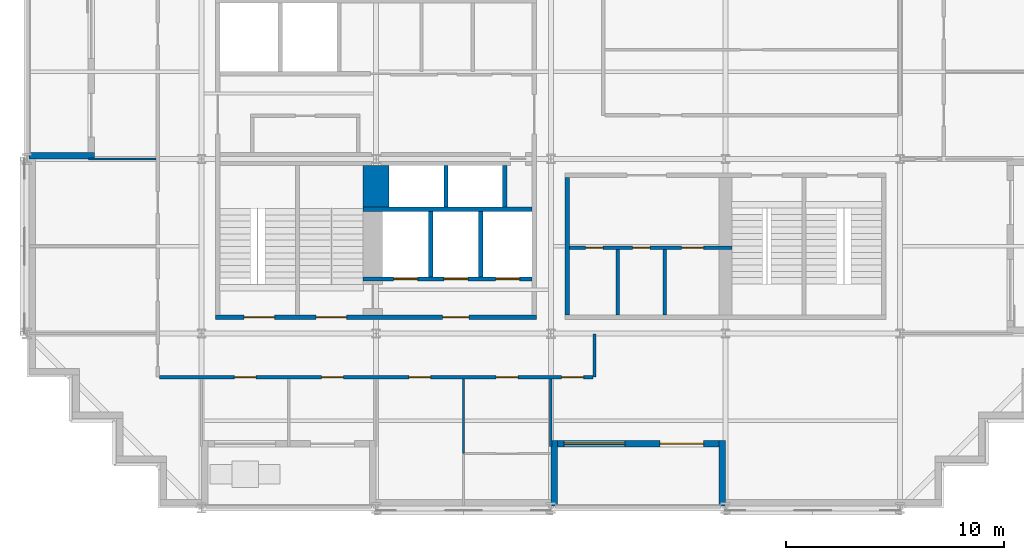
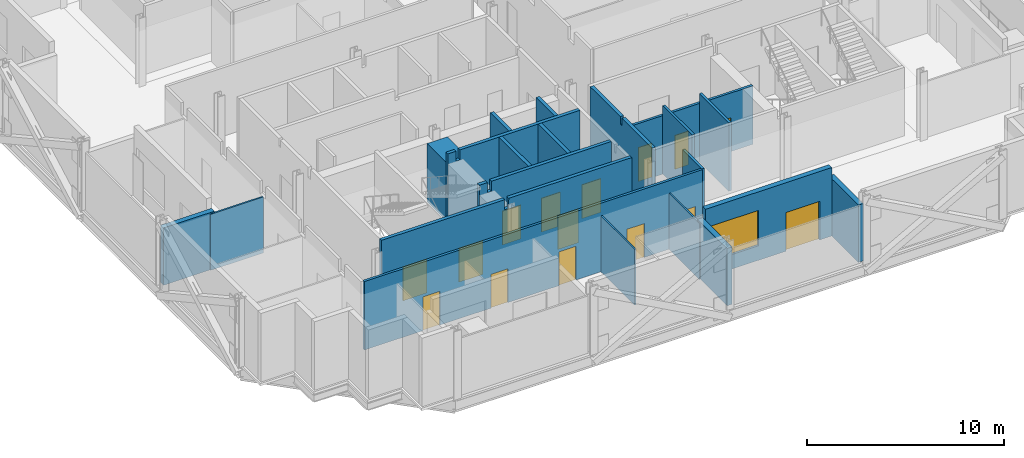
# One storey, part 6 of 15: 21 walls, 15 doors, 1 window, 16 openings.
"""IFC4 building model written with IfcOpenShell, lengths in metres."""

from ifc_helpers import new_model, si_unit, direction, frame, frame_2d, origin, place, context, subcontext, project, spatial, polyline, rectangle, outline, extrude, material, layer, layer_set, type_object, element, fill, save


model = new_model("IFC4")

# Units and contexts
model_context = context("Model", 3, precision=1e-05, world=origin(), true_north=direction((0.0, 1.0)))
body_context = subcontext(model_context, "Body", "Model", "MODEL_VIEW")
ifc_project = project(units=[si_unit("LENGTHUNIT", "METRE"), si_unit("AREAUNIT", "SQUARE_METRE"), si_unit("VOLUMEUNIT", "CUBIC_METRE"), si_unit("PLANEANGLEUNIT", "RADIAN"), si_unit("MASSUNIT", "GRAM", prefix="KILO")], contexts=[model_context])

# Site, building, storey
site_placement = place(None, origin())
site = spatial("IfcSite", under=ifc_project, at=site_placement, CompositionType="ELEMENT")
building_placement = place(site_placement, origin())
building = spatial("IfcBuilding", under=site, at=building_placement, Name="Immortelle Media Tower", CompositionType="ELEMENT")
storey_placement = place(building_placement, frame((0.0, 0.0, 65.60009765625)))
storey = spatial("IfcBuildingStorey", under=building, at=storey_placement, Name="L11", CompositionType="ELEMENT", Elevation=65.60009765625)

# Wall, openings, doors
ifc_material_1 = material(Name="Fire-rated gypsum board", Category="gypsum")
ifc_layer_1 = layer(ifc_material_1, 0.02490234375)
ifc_material_2 = material(Name="Steel ASTM A653 SS Gr 50 stud frame with mineral wool", Category="steel")
ifc_layer_2 = layer(ifc_material_2, 0.10009765625)
ifc_layer_3 = layer(ifc_material_1, 0.02490234375)
ifc_layer_set_1 = layer_set([ifc_layer_1, ifc_layer_2, ifc_layer_3], Name="Steel ASTM A653 SS Gr 50 stud frame with mineral wool")
wall_type_1 = type_object("IfcWallType", Name="Core partition 150", PredefinedType="PARTITIONING", material=ifc_layer_set_1)
wall_1_placement = place(storey_placement, frame((24.85009765625, 11.925048828125, 0.0), z_axis=(0.0, 0.0, 1.0), x_axis=(1.0, 0.0, 0.0)))
wall_1 = element("IfcWall", 1, at=wall_1_placement, inside=storey, type_object=wall_type_1, Name="Core partition SE", PredefinedType="PARTITIONING", context=body_context, shape_type="SweptSolid", body=[
    extrude(rectangle(XDim=7.449951171875, YDim=0.14990234375, at=frame_2d((3.72509765625, 0.0))), origin(), (0.0, 0.0, 1.0), 3.6318359375),
])
opening_1_placement = place(wall_1_placement, frame((1.550048828125, 0.0, 0.0), z_axis=(0.0, 0.0, 1.0), x_axis=(-1.0, 0.0, 0.0)))
opening_1 = element("IfcOpeningElement", 2, at=opening_1_placement, cuts=wall_1, Name="Opening N3-K040", PredefinedType="OPENING", context=body_context, shape_type="SweptSolid", body=[
    extrude(rectangle(XDim=0.800048828125, YDim=2.10009765625, at=frame_2d((0.39990234375, 1.050048828125))), frame((0.0, 0.0849609375, 0.0), z_axis=(0.0, -1.0, 0.0), x_axis=(1.0, 0.0, 0.0)), (0.0, 0.0, 1.0), 0.169921875),
])
opening_2_placement = place(wall_1_placement, frame((3.699951171875, 0.0, 0.0), z_axis=(0.0, 0.0, 1.0), x_axis=(-1.0, 0.0, 0.0)))
opening_2 = element("IfcOpeningElement", 3, at=opening_2_placement, cuts=wall_1, Name="Opening N3-K041", PredefinedType="OPENING", context=body_context, shape_type="SweptSolid", body=[
    extrude(rectangle(XDim=0.800048828125, YDim=2.10009765625, at=frame_2d((0.39990234375, 1.050048828125))), frame((0.0, 0.0849609375, 0.0), z_axis=(0.0, -1.0, 0.0), x_axis=(1.0, 0.0, 0.0)), (0.0, 0.0, 1.0), 0.169921875),
])
opening_3_placement = place(wall_1_placement, frame((6.14990234375, 0.0, 0.0), z_axis=(0.0, 0.0, 1.0), x_axis=(-1.0, 0.0, 0.0)))
opening_3 = element("IfcOpeningElement", 4, at=opening_3_placement, cuts=wall_1, Name="Opening N3-K042", PredefinedType="OPENING", context=body_context, shape_type="SweptSolid", body=[
    extrude(rectangle(XDim=1.0, YDim=2.10009765625, at=frame_2d((0.5, 1.050048828125))), frame((0.0, 0.0849609375, 0.0), z_axis=(0.0, -1.0, 0.0), x_axis=(1.0, 0.0, 0.0)), (0.0, 0.0, 1.0), 0.169921875),
])
ifc_material_3 = material(Name="Timber", Category="wood")
door_type_1 = type_object("IfcDoorType", Name="Accessible toilet door 1000 x 2100", OperationType="NOTDEFINED", PredefinedType="NOTDEFINED", material=ifc_material_3)
door_1_placement = place(opening_3_placement, origin())
door_1 = element("IfcDoor", 5, at=door_1_placement, inside=storey, type_object=door_type_1, Name="Accessible toilet N3-K042", OperationType="SINGLE_SWING_LEFT", OverallHeight=2.10009765625, OverallWidth=1.0, PredefinedType="NOTDEFINED", context=body_context, shape_type="SweptSolid", body=[
    extrude(rectangle(XDim=1.0, YDim=2.10009765625, at=frame_2d((0.5, 1.050048828125))), frame((0.0, 0.02490234375, 0.0), z_axis=(0.0, -1.0, 0.0), x_axis=(1.0, 0.0, 0.0)), (0.0, 0.0, 1.0), 0.050048828125),
])
fill(opening_3, door_1)
door_type_2 = type_object("IfcDoorType", Name="Toilet door 800 x 2100", OperationType="NOTDEFINED", PredefinedType="NOTDEFINED", material=ifc_material_3)
door_2_placement = place(opening_1_placement, origin())
door_2 = element("IfcDoor", 6, at=door_2_placement, inside=storey, type_object=door_type_2, Name="Toilet N3-K040", OperationType="SINGLE_SWING_RIGHT", OverallHeight=2.10009765625, OverallWidth=0.800048828125, PredefinedType="NOTDEFINED", context=body_context, shape_type="SweptSolid", body=[
    extrude(rectangle(XDim=0.800048828125, YDim=2.10009765625, at=frame_2d((0.39990234375, 1.050048828125))), frame((0.0, 0.02490234375, 0.0), z_axis=(0.0, -1.0, 0.0), x_axis=(1.0, 0.0, 0.0)), (0.0, 0.0, 1.0), 0.050048828125),
])
fill(opening_1, door_2)
door_3_placement = place(opening_2_placement, origin())
door_3 = element("IfcDoor", 7, at=door_3_placement, inside=storey, type_object=door_type_2, Name="Toilet N3-K041", OperationType="SINGLE_SWING_RIGHT", OverallHeight=2.10009765625, OverallWidth=0.800048828125, PredefinedType="NOTDEFINED", context=body_context, shape_type="SweptSolid", body=[
    extrude(rectangle(XDim=0.800048828125, YDim=2.10009765625, at=frame_2d((0.39990234375, 1.050048828125))), frame((0.0, 0.02490234375, 0.0), z_axis=(0.0, -1.0, 0.0), x_axis=(1.0, 0.0, 0.0)), (0.0, 0.0, 1.0), 0.050048828125),
])
fill(opening_2, door_3)

# Walls
for number, where, z_axis, x_axis, name in (
    (8, (27.074951171875, 8.85009765625, 0.0), (0.0, 0.0, 1.0), (0.0, 1.0, 0.0), "Core partition SE"),
    (9, (29.22509765625, 8.85009765625, 0.0), (0.0, 0.0, 1.0), (0.0, 1.0, 0.0), "Core partition SE"),
):
    element("IfcWall", number, at=place(storey_placement, frame(where, z_axis=z_axis, x_axis=x_axis)), inside=storey, type_object=wall_type_1, Name=name, PredefinedType="PARTITIONING", context=body_context, shape_type="SweptSolid", body=[
        extrude(rectangle(XDim=3.0, YDim=0.14990234375, at=frame_2d((1.5, 0.0))), origin(), (0.0, 0.0, 1.0), 4.25),
    ])

# Wall, openings, doors
ifc_layer_4 = layer(ifc_material_1, 0.03759765625)
ifc_layer_5 = layer(ifc_material_2, 0.125)
ifc_layer_6 = layer(ifc_material_1, 0.03759765625)
ifc_layer_set_2 = layer_set([ifc_layer_4, ifc_layer_5, ifc_layer_6], Name="Steel ASTM A653 SS Gr 50 stud frame with mineral wool")
wall_type_2 = type_object("IfcWallType", Name="Core shaft wall 200", PredefinedType="PARTITIONING", material=ifc_layer_set_2)
wall_2_placement = place(storey_placement, frame((15.39990234375, 10.5, 0.0), z_axis=(0.0, 0.0, 1.0), x_axis=(1.0, 0.0, 0.0)))
wall_2 = element("IfcWall", 10, at=wall_2_placement, inside=storey, type_object=wall_type_2, Name="Core shaft wall SW", PredefinedType="PARTITIONING", context=body_context, shape_type="SweptSolid", body=[
    extrude(outline(polyline([(0.0, 0.0), (7.75, 0.0), (7.75, 4.25), (0.719482421875, 4.25), (0.718505859375, 3.6318359375), (0.4814453125, 3.6318359375), (0.48046875, 4.25), (0.0, 4.25), (0.0, 0.0)])), frame((0.0, 0.10009765625, 0.0), z_axis=(0.0, -1.0, 0.0), x_axis=(1.0, 0.0, 0.0)), (0.0, 0.0, 1.0), 0.199951171875),
])
opening_4_placement = place(wall_2_placement, frame((1.39990234375, 0.0, 0.0)))
opening_4 = element("IfcOpeningElement", 11, at=opening_4_placement, cuts=wall_2, Name="Opening LD", PredefinedType="OPENING", context=body_context, shape_type="SweptSolid", body=[
    extrude(rectangle(XDim=1.10009765625, YDim=2.10009765625, at=frame_2d((0.550048828125, 1.050048828125))), frame((0.0, 0.10986328125, 0.0), z_axis=(0.0, -1.0, 0.0), x_axis=(1.0, 0.0, 0.0)), (0.0, 0.0, 1.0), 0.219970703125),
])
opening_5_placement = place(wall_2_placement, frame((3.699951171875, 0.0, 0.0)))
opening_5 = element("IfcOpeningElement", 12, at=opening_5_placement, cuts=wall_2, Name="Opening LD", PredefinedType="OPENING", context=body_context, shape_type="SweptSolid", body=[
    extrude(rectangle(XDim=1.10009765625, YDim=2.10009765625, at=frame_2d((0.550048828125, 1.050048828125))), frame((0.0, 0.10986328125, 0.0), z_axis=(0.0, -1.0, 0.0), x_axis=(1.0, 0.0, 0.0)), (0.0, 0.0, 1.0), 0.219970703125),
])
opening_6_placement = place(wall_2_placement, frame((6.074951171875, 0.0, 0.0)))
opening_6 = element("IfcOpeningElement", 13, at=opening_6_placement, cuts=wall_2, Name="Opening LD", PredefinedType="OPENING", context=body_context, shape_type="SweptSolid", body=[
    extrude(rectangle(XDim=1.10009765625, YDim=2.10009765625, at=frame_2d((0.550048828125, 1.050048828125))), frame((0.0, 0.10986328125, 0.0), z_axis=(0.0, -1.0, 0.0), x_axis=(1.0, 0.0, 0.0)), (0.0, 0.0, 1.0), 0.219970703125),
])
ifc_material_4 = material(Name="Stainless steel AISI 304", Category="steel")
door_type_3 = type_object("IfcDoorType", Name="Landing door 1100 x 2100", OperationType="SLIDING_TO_LEFT", PredefinedType="NOTDEFINED", material=ifc_material_4)
door_4_placement = place(opening_4_placement, origin())
door_4 = element("IfcDoor", 14, at=door_4_placement, inside=storey, type_object=door_type_3, Name="Landing door FF1 L11", OperationType="SLIDING_TO_LEFT", OverallHeight=2.10009765625, OverallWidth=1.10009765625, PredefinedType="NOTDEFINED", context=body_context, shape_type="SweptSolid", body=[
    extrude(rectangle(XDim=1.10009765625, YDim=2.10009765625, at=frame_2d((0.550048828125, 1.050048828125))), frame((0.0, 0.02490234375, 0.0), z_axis=(0.0, -1.0, 0.0), x_axis=(1.0, 0.0, 0.0)), (0.0, 0.0, 1.0), 0.050048828125),
])
fill(opening_4, door_4)
door_5_placement = place(opening_5_placement, origin())
door_5 = element("IfcDoor", 15, at=door_5_placement, inside=storey, type_object=door_type_3, Name="Landing door FF2 L11", OperationType="SLIDING_TO_LEFT", OverallHeight=2.10009765625, OverallWidth=1.10009765625, PredefinedType="NOTDEFINED", context=body_context, shape_type="SweptSolid", body=[
    extrude(rectangle(XDim=1.10009765625, YDim=2.10009765625, at=frame_2d((0.550048828125, 1.050048828125))), frame((0.0, 0.02490234375, 0.0), z_axis=(0.0, -1.0, 0.0), x_axis=(1.0, 0.0, 0.0)), (0.0, 0.0, 1.0), 0.050048828125),
])
fill(opening_5, door_5)
door_6_placement = place(opening_6_placement, origin())
door_6 = element("IfcDoor", 16, at=door_6_placement, inside=storey, type_object=door_type_3, Name="Landing door FF3 L11", OperationType="SLIDING_TO_LEFT", OverallHeight=2.10009765625, OverallWidth=1.10009765625, PredefinedType="NOTDEFINED", context=body_context, shape_type="SweptSolid", body=[
    extrude(rectangle(XDim=1.10009765625, YDim=2.10009765625, at=frame_2d((0.550048828125, 1.050048828125))), frame((0.0, 0.02490234375, 0.0), z_axis=(0.0, -1.0, 0.0), x_axis=(1.0, 0.0, 0.0)), (0.0, 0.0, 1.0), 0.050048828125),
])
fill(opening_6, door_6)

# Walls
wall_3_placement = place(storey_placement, frame((15.39990234375, 13.699951171875, 0.0), z_axis=(0.0, 0.0, 1.0), x_axis=(1.0, 0.0, 0.0)))
element("IfcWall", 17, at=wall_3_placement, inside=storey, type_object=wall_type_2, Name="Core shaft wall SW", PredefinedType="PARTITIONING", context=body_context, shape_type="SweptSolid", body=[
    extrude(outline(polyline([(0.0, 0.0), (7.75, 0.0), (7.75, 4.25), (0.719482421875, 4.25), (0.718505859375, 3.6318359375), (0.4814453125, 3.6318359375), (0.48046875, 4.25), (0.0, 4.25), (0.0, 0.0)])), frame((0.0, 0.10009765625, 0.0), z_axis=(0.0, -1.0, 0.0), x_axis=(1.0, 0.0, 0.0)), (0.0, 0.0, 1.0), 0.199951171875),
])
wall_4_placement = place(storey_placement, frame((18.5, 10.60009765625, 0.0), z_axis=(0.0, 0.0, 1.0), x_axis=(0.0, 1.0, 0.0)))
element("IfcWall", 18, at=wall_4_placement, inside=storey, type_object=wall_type_2, Name="Core shaft wall SW", PredefinedType="PARTITIONING", context=body_context, shape_type="SweptSolid", body=[
    extrude(rectangle(XDim=3.0, YDim=0.199951171875, at=frame_2d((1.5, 0.0))), origin(), (0.0, 0.0, 1.0), 4.25),
])
wall_5_placement = place(storey_placement, frame((19.199951171875, 13.800048828125, 0.0), z_axis=(0.0, 0.0, 1.0), x_axis=(0.0, 1.0, 0.0)))
element("IfcWall", 19, at=wall_5_placement, inside=storey, type_object=wall_type_2, Name="Core shaft wall SW", PredefinedType="PARTITIONING", context=body_context, shape_type="SweptSolid", body=[
    extrude(rectangle(XDim=1.89990234375, YDim=0.199951171875, at=frame_2d((0.949951171875, 0.0))), origin(), (0.0, 0.0, 1.0), 4.25),
])
wall_6_placement = place(storey_placement, frame((20.800048828125, 10.60009765625, 0.0), z_axis=(0.0, 0.0, 1.0), x_axis=(0.0, 1.0, 0.0)))
element("IfcWall", 20, at=wall_6_placement, inside=storey, type_object=wall_type_2, Name="Core shaft wall SW", PredefinedType="PARTITIONING", context=body_context, shape_type="SweptSolid", body=[
    extrude(rectangle(XDim=3.0, YDim=0.199951171875, at=frame_2d((1.5, 0.0))), origin(), (0.0, 0.0, 1.0), 4.25),
])
wall_7_placement = place(storey_placement, frame((21.89990234375, 13.800048828125, 0.0), z_axis=(0.0, 0.0, 1.0), x_axis=(0.0, 1.0, 0.0)))
element("IfcWall", 21, at=wall_7_placement, inside=storey, type_object=wall_type_2, Name="Core shaft wall SW", PredefinedType="PARTITIONING", context=body_context, shape_type="SweptSolid", body=[
    extrude(rectangle(XDim=1.89990234375, YDim=0.199951171875, at=frame_2d((0.949951171875, 0.0))), origin(), (0.0, 0.0, 1.0), 4.25),
])
wall_8_placement = place(storey_placement, frame((24.75, 8.85009765625, 0.0), z_axis=(0.0, 0.0, 1.0), x_axis=(0.0, 1.0, 0.0)))
element("IfcWall", 22, at=wall_8_placement, inside=storey, type_object=wall_type_2, Name="Core shaft wall SE", PredefinedType="PARTITIONING", context=body_context, shape_type="SweptSolid", body=[
    extrude(outline(polyline([(0.0, 0.0), (6.2998046875, 0.0), (6.300048828125, 4.25), (3.2314453125, 4.25), (3.23046875, 3.788818359375), (3.069580078125, 3.788818359375), (3.068603515625, 4.25), (0.0, 4.25), (0.0, 0.0)])), frame((0.0, 0.10009765625, 0.0), z_axis=(0.0, -1.0, 0.0), x_axis=(1.0, 0.0, 0.0)), (0.0, 0.0, 1.0), 0.199951171875),
])

# Wall, openings, doors
ifc_layer_7 = layer(ifc_material_1, 0.012451171875)
ifc_layer_8 = layer(ifc_material_2, 0.125)
ifc_layer_9 = layer(ifc_material_1, 0.012451171875)
ifc_layer_set_3 = layer_set([ifc_layer_7, ifc_layer_8, ifc_layer_9], Name="Steel ASTM A653 SS Gr 50 stud frame with mineral wool")
wall_type_3 = type_object("IfcWallType", Name="Corridor wall 150", PredefinedType="PARTITIONING", material=ifc_layer_set_3)
wall_9_placement = place(storey_placement, frame((6.074951171875, 6.0, 0.0), z_axis=(0.0, 0.0, 1.0), x_axis=(1.0, 0.0, 0.0)))
wall_9 = element("IfcWall", 23, at=wall_9_placement, inside=storey, type_object=wall_type_3, Name="Partition L11-008", PredefinedType="PARTITIONING", context=body_context, shape_type="SweptSolid", body=[
    extrude(rectangle(XDim=19.85009765625, YDim=0.14990234375, at=frame_2d((9.925048828125, 0.0))), origin(), (0.0, 0.0, 1.0), 4.25),
])
opening_7_placement = place(wall_9_placement, frame((12.425048828125, 0.0, 0.0), z_axis=(0.0, 0.0, 1.0), x_axis=(-1.0, 0.0, 0.0)))
opening_7 = element("IfcOpeningElement", 24, at=opening_7_placement, cuts=wall_9, Name="Opening N3-F001", PredefinedType="OPENING", context=body_context, shape_type="SweptSolid", body=[
    extrude(rectangle(XDim=1.0, YDim=2.10009765625, at=frame_2d((0.5, 1.050048828125))), frame((0.0, 0.0849609375, 0.0), z_axis=(0.0, -1.0, 0.0), x_axis=(1.0, 0.0, 0.0)), (0.0, 0.0, 1.0), 0.169921875),
])
opening_8_placement = place(wall_9_placement, frame((16.425048828125, 0.0, 0.0), z_axis=(0.0, 0.0, 1.0), x_axis=(-1.0, 0.0, 0.0)))
opening_8 = element("IfcOpeningElement", 25, at=opening_8_placement, cuts=wall_9, Name="Opening N3-F002", PredefinedType="OPENING", context=body_context, shape_type="SweptSolid", body=[
    extrude(rectangle(XDim=1.0, YDim=2.10009765625, at=frame_2d((0.5, 1.050048828125))), frame((0.0, 0.0849609375, 0.0), z_axis=(0.0, -1.0, 0.0), x_axis=(1.0, 0.0, 0.0)), (0.0, 0.0, 1.0), 0.169921875),
])
opening_9_placement = place(wall_9_placement, frame((4.425048828125, 0.0, 0.0), z_axis=(0.0, 0.0, 1.0), x_axis=(-1.0, 0.0, 0.0)))
opening_9 = element("IfcOpeningElement", 26, at=opening_9_placement, cuts=wall_9, Name="Opening N3-F004", PredefinedType="OPENING", context=body_context, shape_type="SweptSolid", body=[
    extrude(rectangle(XDim=1.0, YDim=2.10009765625, at=frame_2d((0.5, 1.050048828125))), frame((0.0, 0.0849609375, 0.0), z_axis=(0.0, -1.0, 0.0), x_axis=(1.0, 0.0, 0.0)), (0.0, 0.0, 1.0), 0.169921875),
])
opening_10_placement = place(wall_9_placement, frame((8.425048828125, 0.0, 0.0), z_axis=(0.0, 0.0, 1.0), x_axis=(-1.0, 0.0, 0.0)))
opening_10 = element("IfcOpeningElement", 27, at=opening_10_placement, cuts=wall_9, Name="Opening N3-F005", PredefinedType="OPENING", context=body_context, shape_type="SweptSolid", body=[
    extrude(rectangle(XDim=1.0, YDim=2.10009765625, at=frame_2d((0.5, 1.050048828125))), frame((0.0, 0.0849609375, 0.0), z_axis=(0.0, -1.0, 0.0), x_axis=(1.0, 0.0, 0.0)), (0.0, 0.0, 1.0), 0.169921875),
])
opening_11_placement = place(wall_9_placement, frame((19.425048828125, 0.0, 0.0), z_axis=(0.0, 0.0, 1.0), x_axis=(-1.0, 0.0, 0.0)))
opening_11 = element("IfcOpeningElement", 28, at=opening_11_placement, cuts=wall_9, Name="Opening N3-F006", PredefinedType="OPENING", context=body_context, shape_type="SweptSolid", body=[
    extrude(rectangle(XDim=1.0, YDim=2.10009765625, at=frame_2d((0.5, 1.050048828125))), frame((0.0, 0.0849609375, 0.0), z_axis=(0.0, -1.0, 0.0), x_axis=(1.0, 0.0, 0.0)), (0.0, 0.0, 1.0), 0.169921875),
])
ifc_material_5 = material(Name="Timber veneered door leaf, galvanised steel frame ASTM A653", Category="steel")
door_type_4 = type_object("IfcDoorType", Name="Room door 1000 x 2100", OperationType="NOTDEFINED", PredefinedType="DOOR", material=ifc_material_5)
door_7_placement = place(opening_7_placement, origin())
door_7 = element("IfcDoor", 29, at=door_7_placement, inside=storey, type_object=door_type_4, Name="Door N3-F001", OperationType="SINGLE_SWING_LEFT", OverallHeight=2.10009765625, OverallWidth=1.0, PredefinedType="DOOR", context=body_context, shape_type="SweptSolid", body=[
    extrude(rectangle(XDim=1.0, YDim=2.10009765625, at=frame_2d((0.5, 1.050048828125))), frame((0.0, 0.02490234375, 0.0), z_axis=(0.0, -1.0, 0.0), x_axis=(1.0, 0.0, 0.0)), (0.0, 0.0, 1.0), 0.050048828125),
])
fill(opening_7, door_7)
door_8_placement = place(opening_8_placement, origin())
door_8 = element("IfcDoor", 30, at=door_8_placement, inside=storey, type_object=door_type_4, Name="Door N3-F002", OperationType="SINGLE_SWING_LEFT", OverallHeight=2.10009765625, OverallWidth=1.0, PredefinedType="DOOR", context=body_context, shape_type="SweptSolid", body=[
    extrude(rectangle(XDim=1.0, YDim=2.10009765625, at=frame_2d((0.5, 1.050048828125))), frame((0.0, 0.02490234375, 0.0), z_axis=(0.0, -1.0, 0.0), x_axis=(1.0, 0.0, 0.0)), (0.0, 0.0, 1.0), 0.050048828125),
])
fill(opening_8, door_8)
door_9_placement = place(opening_9_placement, origin())
door_9 = element("IfcDoor", 31, at=door_9_placement, inside=storey, type_object=door_type_4, Name="Door N3-F004", OperationType="SINGLE_SWING_RIGHT", OverallHeight=2.10009765625, OverallWidth=1.0, PredefinedType="DOOR", context=body_context, shape_type="SweptSolid", body=[
    extrude(rectangle(XDim=1.0, YDim=2.10009765625, at=frame_2d((0.5, 1.050048828125))), frame((0.0, 0.02490234375, 0.0), z_axis=(0.0, -1.0, 0.0), x_axis=(1.0, 0.0, 0.0)), (0.0, 0.0, 1.0), 0.050048828125),
])
fill(opening_9, door_9)
door_10_placement = place(opening_10_placement, origin())
door_10 = element("IfcDoor", 32, at=door_10_placement, inside=storey, type_object=door_type_4, Name="Door N3-F005", OperationType="SINGLE_SWING_RIGHT", OverallHeight=2.10009765625, OverallWidth=1.0, PredefinedType="DOOR", context=body_context, shape_type="SweptSolid", body=[
    extrude(rectangle(XDim=1.0, YDim=2.10009765625, at=frame_2d((0.5, 1.050048828125))), frame((0.0, 0.02490234375, 0.0), z_axis=(0.0, -1.0, 0.0), x_axis=(1.0, 0.0, 0.0)), (0.0, 0.0, 1.0), 0.050048828125),
])
fill(opening_10, door_10)
door_11_placement = place(opening_11_placement, origin())
door_11 = element("IfcDoor", 33, at=door_11_placement, inside=storey, type_object=door_type_4, Name="Door N3-F006", OperationType="SINGLE_SWING_RIGHT", OverallHeight=2.10009765625, OverallWidth=1.0, PredefinedType="DOOR", context=body_context, shape_type="SweptSolid", body=[
    extrude(rectangle(XDim=1.0, YDim=2.10009765625, at=frame_2d((0.5, 1.050048828125))), frame((0.0, 0.02490234375, 0.0), z_axis=(0.0, -1.0, 0.0), x_axis=(1.0, 0.0, 0.0)), (0.0, 0.0, 1.0), 0.050048828125),
])
fill(opening_11, door_11)

# Walls
wall_10_placement = place(storey_placement, frame((26.0, 6.0, 0.0), z_axis=(0.0, 0.0, 1.0), x_axis=(0.0, 1.0, 0.0)))
element("IfcWall", 34, at=wall_10_placement, inside=storey, type_object=wall_type_3, Name="Partition L11-010", PredefinedType="PARTITIONING", context=body_context, shape_type="SweptSolid", body=[
    extrude(rectangle(XDim=1.969970703125, YDim=0.14990234375, at=frame_2d((0.98486328125, 0.0))), origin(), (0.0, 0.0, 1.0), 4.25),
])
ifc_material_6 = material(Name="Pale aluminium cladding panel", Category="aluminium")
ifc_layer_10 = layer(ifc_material_6, 0.030029296875)
ifc_layer_11 = layer(ifc_material_2, 0.257568359375)
ifc_material_7 = material(Name="Moisture-resistant gypsum board", Category="gypsum")
ifc_layer_12 = layer(ifc_material_7, 0.012451171875)
ifc_layer_set_4 = layer_set([ifc_layer_10, ifc_layer_11, ifc_layer_12], Name="Steel ASTM A653 SS Gr 50 stud frame with mineral wool")
wall_type_4 = type_object("IfcWallType", Name="Facade wall 300", PredefinedType="SOLIDWALL", material=ifc_layer_set_4)
wall_11_placement = place(storey_placement, frame((0.10009765625, 16.14990234375, 0.0), z_axis=(0.0, 0.0, 1.0), x_axis=(1.0, 0.0, 0.0)))
element("IfcWall", 35, at=wall_11_placement, inside=storey, type_object=wall_type_4, Name="Loggia cheek wall L11 W", PredefinedType="SOLIDWALL", context=body_context, shape_type="SweptSolid", body=[
    extrude(rectangle(XDim=3.0, YDim=0.300048828125, at=frame_2d((1.5, 0.0))), origin(), (0.0, 0.0, 1.0), 3.555908203125),
])

# Wall, openings, door, window
wall_12_placement = place(storey_placement, frame((24.300048828125, 2.949951171875, 0.0), z_axis=(0.0, 0.0, 1.0), x_axis=(1.0, 0.0, 0.0)))
wall_12 = element("IfcWall", 36, at=wall_12_placement, inside=storey, type_object=wall_type_4, Name="Loggia wall L11 S7", PredefinedType="SOLIDWALL", context=body_context, shape_type="SweptSolid", body=[
    extrude(rectangle(XDim=7.39990234375, YDim=0.300048828125, at=frame_2d((3.699951171875, 0.0))), origin(), (0.0, 0.0, 1.0), 4.25),
])
opening_12_placement = place(wall_12_placement, frame((0.300048828125, 0.0, 0.89990234375)))
opening_12 = element("IfcOpeningElement", 37, at=opening_12_placement, cuts=wall_12, Name="Opening W1", PredefinedType="OPENING", context=body_context, shape_type="SweptSolid", body=[
    extrude(rectangle(XDim=2.800048828125, YDim=2.199951171875, at=frame_2d((1.39990234375, 1.10009765625))), frame((0.0, 0.159912109375, 0.0), z_axis=(0.0, -1.0, 0.0), x_axis=(1.0, 0.0, 0.0)), (0.0, 0.0, 1.0), 0.320068359375),
])
opening_13_placement = place(wall_12_placement, frame((4.699951171875, 0.0, 0.0)))
opening_13 = element("IfcOpeningElement", 38, at=opening_13_placement, cuts=wall_12, Name="Opening N3-E004", PredefinedType="OPENING", context=body_context, shape_type="SweptSolid", body=[
    extrude(rectangle(XDim=2.0, YDim=2.39990234375, at=frame_2d((1.0, 1.199951171875))), frame((0.0, 0.159912109375, 0.0), z_axis=(0.0, -1.0, 0.0), x_axis=(1.0, 0.0, 0.0)), (0.0, 0.0, 1.0), 0.320068359375),
])
ifc_material_8 = material(Name="Aluminium frame, glazed leaves", Category="aluminium")
door_type_5 = type_object("IfcDoorType", Name="Loggia door 2000 x 2400", OperationType="DOUBLE_DOOR_SINGLE_SWING", PredefinedType="DOOR", material=ifc_material_8)
door_12_placement = place(opening_13_placement, origin())
door_12 = element("IfcDoor", 39, at=door_12_placement, inside=storey, type_object=door_type_5, Name="Door N3-E004", OperationType="DOUBLE_DOOR_SINGLE_SWING", OverallHeight=2.39990234375, OverallWidth=2.0, PredefinedType="DOOR", context=body_context, shape_type="SweptSolid", body=[
    extrude(rectangle(XDim=2.0, YDim=2.39990234375, at=frame_2d((1.0, 1.199951171875))), frame((0.0, 0.02490234375, 0.0), z_axis=(0.0, -1.0, 0.0), x_axis=(1.0, 0.0, 0.0)), (0.0, 0.0, 1.0), 0.050048828125),
])
fill(opening_13, door_12)
ifc_material_9 = material(Name="Aluminium frame", Category="aluminium")
window_type = type_object("IfcWindowType", Name="Window 2800 x 2200", PartitioningType="SINGLE_PANEL", PredefinedType="WINDOW", material=ifc_material_9)
window_placement = place(opening_12_placement, origin())
window = element("IfcWindow", 40, at=window_placement, inside=storey, type_object=window_type, Name="Window L11 L11-R7-B2", OverallHeight=2.199951171875, OverallWidth=2.800048828125, PartitioningType="SINGLE_PANEL", PredefinedType="WINDOW", context=body_context, shape_type="SweptSolid", body=[
    extrude(rectangle(XDim=2.800048828125, YDim=2.199951171875, at=frame_2d((1.39990234375, 1.10009765625))), frame((0.0, 0.030029296875, 0.0), z_axis=(0.0, -1.0, 0.0), x_axis=(1.0, 0.0, 0.0)), (0.0, 0.0, 1.0), 0.06005859375),
])
fill(opening_12, window)

# Walls
for number, where, z_axis, x_axis, name in (
    (41, (24.14990234375, 0.10009765625, 0.0), (0.0, 0.0, 1.0), (0.0, 1.0, 0.0), "Loggia cheek wall L11 S"),
    (42, (31.85009765625, 0.10009765625, 0.0), (0.0, 0.0, 1.0), (0.0, 1.0, 0.0), "Loggia cheek wall L11 S"),
):
    element("IfcWall", number, at=place(storey_placement, frame(where, z_axis=z_axis, x_axis=x_axis)), inside=storey, type_object=wall_type_4, Name=name, PredefinedType="SOLIDWALL", context=body_context, shape_type="SweptSolid", body=[
        extrude(rectangle(XDim=3.0, YDim=0.300048828125, at=frame_2d((1.5, 0.0))), origin(), (0.0, 0.0, 1.0), 3.555908203125),
    ])
ifc_material_10 = material(Name="Gypsum board", Category="gypsum")
ifc_layer_13 = layer(ifc_material_10, 0.012451171875)
ifc_layer_14 = layer(ifc_material_2, 0.074951171875)
ifc_layer_15 = layer(ifc_material_10, 0.012451171875)
ifc_layer_set_5 = layer_set([ifc_layer_13, ifc_layer_14, ifc_layer_15], Name="Steel ASTM A653 SS Gr 50 stud frame with mineral wool")
wall_type_5 = type_object("IfcWallType", Name="Partition 100", PredefinedType="PARTITIONING", material=ifc_layer_set_5)
wall_13_placement = place(storey_placement, frame((20.0, 2.5, 0.0), z_axis=(0.0, 0.0, 1.0), x_axis=(0.0, 1.0, 0.0)))
element("IfcWall", 43, at=wall_13_placement, inside=storey, type_object=wall_type_5, Name="Partition L11-003", PredefinedType="PARTITIONING", context=body_context, shape_type="SweptSolid", body=[
    extrude(rectangle(XDim=3.425048828125, YDim=0.10009765625, at=frame_2d((1.71240234375, 0.0))), origin(), (0.0, 0.0, 1.0), 3.469970703125),
])
for number, where, z_axis, x_axis, name in (
    (44, (24.0, 2.830078125, 0.0), (0.0, 0.0, 1.0), (0.0, 1.0, 0.0), "Partition L11-007"),
    (45, (2.830078125, 16.0, 0.0), (0.0, 0.0, 1.0), (1.0, 0.0, 0.0), "Partition L11-014"),
):
    element("IfcWall", number, at=place(storey_placement, frame(where, z_axis=z_axis, x_axis=x_axis)), inside=storey, type_object=wall_type_5, Name=name, PredefinedType="PARTITIONING", context=body_context, shape_type="SweptSolid", body=[
        extrude(rectangle(XDim=3.094970703125, YDim=0.10009765625, at=frame_2d((1.54736328125, 0.0))), origin(), (0.0, 0.0, 1.0), 3.469970703125),
    ])
ifc_material_11 = material(Name="Concrete C60", Category="concrete")
ifc_layer_16 = layer(ifc_material_11, 1.199951171875)
ifc_layer_set_6 = layer_set([ifc_layer_16], Name="Concrete C60")
wall_type_6 = type_object("IfcWallType", Name="Stair shaft wall 1200", PredefinedType="PARTITIONING", material=ifc_layer_set_6)
wall_14_placement = place(storey_placement, frame((16.0, 13.800048828125, 0.0), z_axis=(0.0, 0.0, 1.0), x_axis=(0.0, 1.0, 0.0)))
element("IfcWall", 46, at=wall_14_placement, inside=storey, type_object=wall_type_6, Name="Stair shaft wall SW", PredefinedType="PARTITIONING", context=body_context, shape_type="SweptSolid", body=[
    extrude(rectangle(XDim=1.89990234375, YDim=1.199951171875, at=frame_2d((0.949951171875, 0.0))), origin(), (0.0, 0.0, 1.0), 3.6318359375),
])

# Wall, openings, doors
ifc_layer_17 = layer(ifc_material_11, 0.199951171875)
ifc_layer_set_7 = layer_set([ifc_layer_17], Name="Concrete C60")
wall_type_7 = type_object("IfcWallType", Name="Stair shaft wall 200", PredefinedType="PARTITIONING", material=ifc_layer_set_7)
wall_15_placement = place(storey_placement, frame((8.64990234375, 8.75, 0.0), z_axis=(0.0, 0.0, 1.0), x_axis=(1.0, 0.0, 0.0)))
wall_15 = element("IfcWall", 47, at=wall_15_placement, inside=storey, type_object=wall_type_7, Name="Stair shaft wall SW", PredefinedType="PARTITIONING", context=body_context, shape_type="SweptSolid", body=[
    extrude(outline(polyline([(0.0, 0.0), (14.7001953125, 0.0), (14.699951171875, 4.25), (7.469482421875, 4.25), (7.468505859375, 3.6318359375), (7.2314453125, 3.6318359375), (7.23046875, 4.25), (0.0, 4.25), (0.0, 0.0)])), frame((0.0, 0.10009765625, 0.0), z_axis=(0.0, -1.0, 0.0), x_axis=(1.0, 0.0, 0.0)), (0.0, 0.0, 1.0), 0.199951171875),
])
opening_14_placement = place(wall_15_placement, frame((1.300048828125, 0.0, 0.0)))
opening_14 = element("IfcOpeningElement", 48, at=opening_14_placement, cuts=wall_15, Name="Opening N3-K002", PredefinedType="OPENING", context=body_context, shape_type="SweptSolid", body=[
    extrude(rectangle(XDim=1.39990234375, YDim=2.10009765625, at=frame_2d((0.699951171875, 1.050048828125))), frame((0.0, 0.10986328125, 0.0), z_axis=(0.0, -1.0, 0.0), x_axis=(1.0, 0.0, 0.0)), (0.0, 0.0, 1.0), 0.219970703125),
])
opening_15_placement = place(wall_15_placement, frame((4.60009765625, 0.0, 0.0)))
opening_15 = element("IfcOpeningElement", 49, at=opening_15_placement, cuts=wall_15, Name="Opening N3-K003", PredefinedType="OPENING", context=body_context, shape_type="SweptSolid", body=[
    extrude(rectangle(XDim=1.39990234375, YDim=2.10009765625, at=frame_2d((0.699951171875, 1.050048828125))), frame((0.0, 0.10986328125, 0.0), z_axis=(0.0, -1.0, 0.0), x_axis=(1.0, 0.0, 0.0)), (0.0, 0.0, 1.0), 0.219970703125),
])
opening_16_placement = place(wall_15_placement, frame((10.39990234375, 0.0, 0.0)))
opening_16 = element("IfcOpeningElement", 50, at=opening_16_placement, cuts=wall_15, Name="Opening N3-K008", PredefinedType="OPENING", context=body_context, shape_type="SweptSolid", body=[
    extrude(rectangle(XDim=1.199951171875, YDim=2.10009765625, at=frame_2d((0.60009765625, 1.050048828125))), frame((0.0, 0.10986328125, 0.0), z_axis=(0.0, -1.0, 0.0), x_axis=(1.0, 0.0, 0.0)), (0.0, 0.0, 1.0), 0.219970703125),
])
ifc_material_12 = material(Name="Galvanised steel door leaf and frame ASTM A653", Category="steel")
door_type_6 = type_object("IfcDoorType", Name="Fire-fighting lobby door 1200 x 2100", OperationType="NOTDEFINED", PredefinedType="NOTDEFINED", material=ifc_material_12)
door_13_placement = place(opening_16_placement, origin())
door_13 = element("IfcDoor", 51, at=door_13_placement, inside=storey, type_object=door_type_6, Name="Fire-fighting lobby N3-K008", OperationType="SINGLE_SWING_LEFT", OverallHeight=2.10009765625, OverallWidth=1.199951171875, PredefinedType="NOTDEFINED", context=body_context, shape_type="SweptSolid", body=[
    extrude(rectangle(XDim=1.199951171875, YDim=2.10009765625, at=frame_2d((0.60009765625, 1.050048828125))), frame((0.0, 0.02490234375, 0.0), z_axis=(0.0, -1.0, 0.0), x_axis=(1.0, 0.0, 0.0)), (0.0, 0.0, 1.0), 0.050048828125),
])
fill(opening_16, door_13)
door_type_7 = type_object("IfcDoorType", Name="Stair door 1400 x 2100", OperationType="DOUBLE_DOOR_SINGLE_SWING", PredefinedType="NOTDEFINED", material=ifc_material_12)
door_14_placement = place(opening_14_placement, origin())
door_14 = element("IfcDoor", 52, at=door_14_placement, inside=storey, type_object=door_type_7, Name="Stair N3-K002", OperationType="DOUBLE_DOOR_SINGLE_SWING", OverallHeight=2.10009765625, OverallWidth=1.39990234375, PredefinedType="NOTDEFINED", context=body_context, shape_type="SweptSolid", body=[
    extrude(rectangle(XDim=1.39990234375, YDim=2.10009765625, at=frame_2d((0.699951171875, 1.050048828125))), frame((0.0, 0.02490234375, 0.0), z_axis=(0.0, -1.0, 0.0), x_axis=(1.0, 0.0, 0.0)), (0.0, 0.0, 1.0), 0.050048828125),
])
fill(opening_14, door_14)
door_15_placement = place(opening_15_placement, origin())
door_15 = element("IfcDoor", 53, at=door_15_placement, inside=storey, type_object=door_type_7, Name="Stair N3-K003", OperationType="DOUBLE_DOOR_SINGLE_SWING", OverallHeight=2.10009765625, OverallWidth=1.39990234375, PredefinedType="NOTDEFINED", context=body_context, shape_type="SweptSolid", body=[
    extrude(rectangle(XDim=1.39990234375, YDim=2.10009765625, at=frame_2d((0.699951171875, 1.050048828125))), frame((0.0, 0.02490234375, 0.0), z_axis=(0.0, -1.0, 0.0), x_axis=(1.0, 0.0, 0.0)), (0.0, 0.0, 1.0), 0.050048828125),
])
fill(opening_15, door_15)

save(model, "model.ifc")
